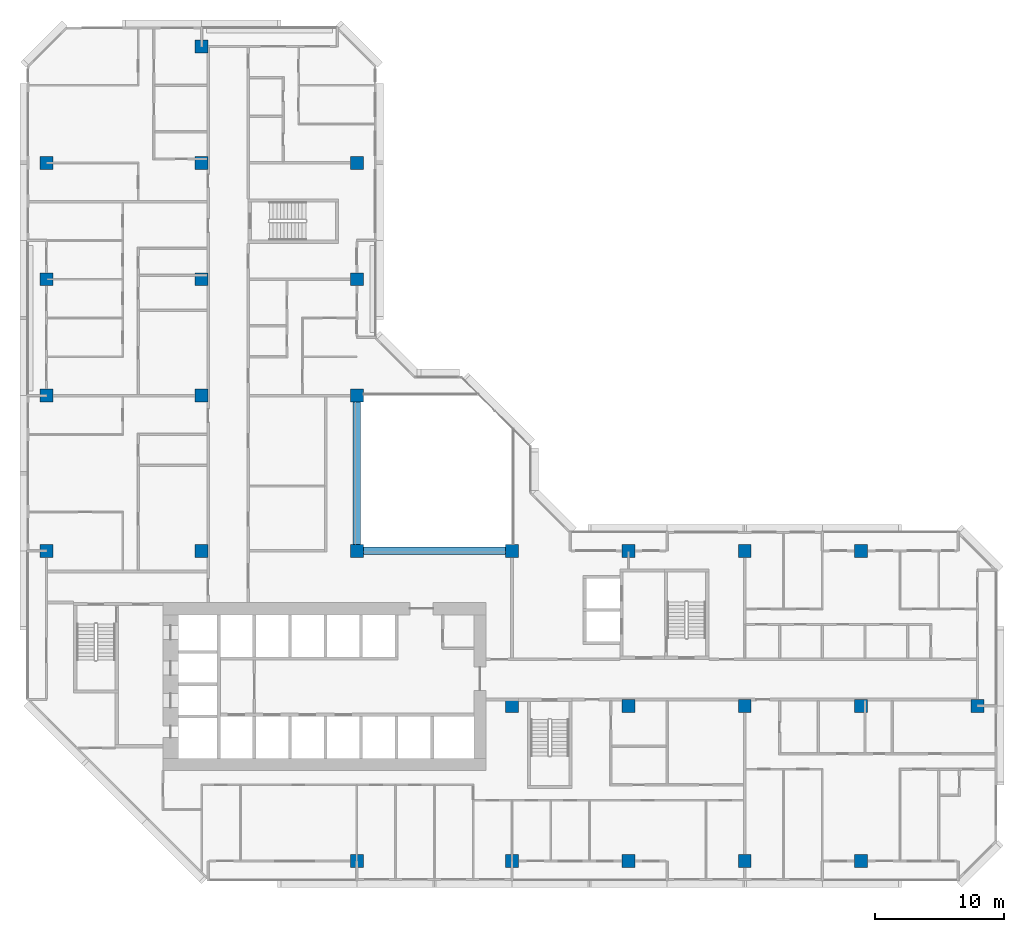
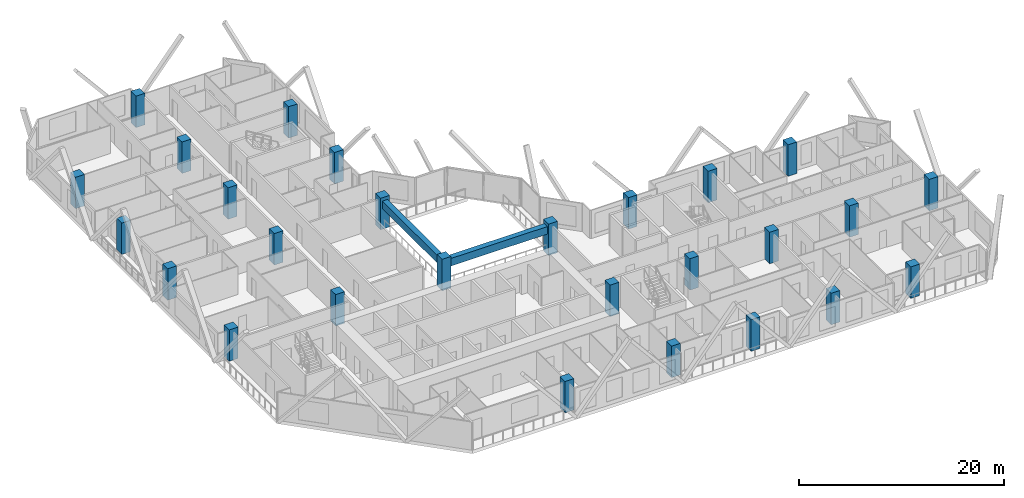
# One storey, part 1 of 16: 27 columns, 2 beams.
"""IFC4 building model written with IfcOpenShell, lengths in metres."""

from ifc_helpers import new_model, si_unit, direction, frame, origin, origin_2d, place, context, subcontext, project, spatial, rectangle, extrude, material, material_profile, profile_set, type_object, element, save


model = new_model("IFC4")

# Units and contexts
model_context = context("Model", 3, precision=1e-05, world=origin(), true_north=direction((0.0, 1.0)))
body_context = subcontext(model_context, "Body", "Model", "MODEL_VIEW")
ifc_project = project(units=[si_unit("LENGTHUNIT", "METRE"), si_unit("AREAUNIT", "SQUARE_METRE"), si_unit("VOLUMEUNIT", "CUBIC_METRE"), si_unit("PLANEANGLEUNIT", "RADIAN"), si_unit("MASSUNIT", "GRAM", prefix="KILO")], contexts=[model_context])

# Site, building, storey
site_placement = place(None, origin())
site = spatial("IfcSite", under=ifc_project, at=site_placement, CompositionType="ELEMENT")
building_placement = place(site_placement, origin())
building = spatial("IfcBuilding", under=site, at=building_placement, Name="Chenar Terraces", CompositionType="ELEMENT")
storey_placement = place(building_placement, frame((0.0, 0.0, 99.39990234375)))
storey = spatial("IfcBuildingStorey", under=building, at=storey_placement, Name="L22", CompositionType="ELEMENT", Elevation=99.39990234375)

# Columns
ifc_material_1 = material(Name="Concrete C70/85", Category="concrete")
ifc_material_profile_1 = material_profile(ifc_material_1, rectangle(XDim=1.0, YDim=1.0, at=origin_2d()), Name="C 1000 x 1000")
ifc_profile_set_1 = profile_set([ifc_material_profile_1], Name="Concrete C70/85")
column_type = type_object("IfcColumnType", Name="Column C 1000 x 1000 Concrete C70/85", PredefinedType="COLUMN", material=ifc_profile_set_1)
column_1_placement = place(storey_placement, frame((0.0, 24.0, 0.0), z_axis=(0.0, 0.0, 1.0), x_axis=(1.0, 0.0, 0.0)))
element("IfcColumn", 1, at=column_1_placement, inside=storey, type_object=column_type, Name="Column 5/G L22", PredefinedType="COLUMN", context=body_context, shape_type="SweptSolid", body=[
    extrude(rectangle(XDim=1.0, YDim=1.0, at=origin_2d()), origin(), (0.0, 0.0, 1.0), 3.75),
])
column_2_placement = place(storey_placement, frame((0.0, 36.0, 0.0), z_axis=(0.0, 0.0, 1.0), x_axis=(1.0, 0.0, 0.0)))
element("IfcColumn", 2, at=column_2_placement, inside=storey, type_object=column_type, Name="Column 5/H L22", PredefinedType="COLUMN", context=body_context, shape_type="SweptSolid", body=[
    extrude(rectangle(XDim=1.0, YDim=1.0, at=origin_2d()), origin(), (0.0, 0.0, 1.0), 3.75),
])
column_3_placement = place(storey_placement, frame((0.0, 45.0, 0.0), z_axis=(0.0, 0.0, 1.0), x_axis=(1.0, 0.0, 0.0)))
element("IfcColumn", 3, at=column_3_placement, inside=storey, type_object=column_type, Name="Column 5/J L22", PredefinedType="COLUMN", context=body_context, shape_type="SweptSolid", body=[
    extrude(rectangle(XDim=1.0, YDim=1.0, at=origin_2d()), origin(), (0.0, 0.0, 1.0), 3.75),
])
column_4_placement = place(storey_placement, frame((0.0, 54.0, 0.0), z_axis=(0.0, 0.0, 1.0), x_axis=(1.0, 0.0, 0.0)))
element("IfcColumn", 4, at=column_4_placement, inside=storey, type_object=column_type, Name="Column 5/K L22", PredefinedType="COLUMN", context=body_context, shape_type="SweptSolid", body=[
    extrude(rectangle(XDim=1.0, YDim=1.0, at=origin_2d()), origin(), (0.0, 0.0, 1.0), 3.75),
])
for number, where, z_axis, x_axis, name in (
    (5, (12.0, 24.0, 0.0), (0.0, 0.0, 1.0), (1.0, 0.0, 0.0), "Column 6/G L22"),
    (6, (12.0, 36.0, 0.0), (0.0, 0.0, 1.0), (1.0, 0.0, 0.0), "Column 6/H L22"),
    (7, (12.0, 45.0, 0.0), (0.0, 0.0, 1.0), (1.0, 0.0, 0.0), "Column 6/J L22"),
    (8, (12.0, 54.0, 0.0), (0.0, 0.0, 1.0), (1.0, 0.0, 0.0), "Column 6/K L22"),
    (9, (12.0, 63.0, 0.0), (0.0, 0.0, 1.0), (1.0, 0.0, 0.0), "Column 6/L L22"),
    (10, (24.0, 0.0, 0.0), (0.0, 0.0, 1.0), (1.0, 0.0, 0.0), "Column 7/E L22"),
    (11, (24.0, 24.0, 0.0), (0.0, 0.0, 1.0), (1.0, 0.0, 0.0), "Column 7/G L22"),
    (12, (24.0, 36.0, 0.0), (0.0, 0.0, 1.0), (1.0, 0.0, 0.0), "Column 7/H L22"),
    (13, (24.0, 45.0, 0.0), (0.0, 0.0, 1.0), (1.0, 0.0, 0.0), "Column 7/J L22"),
    (14, (24.0, 54.0, 0.0), (0.0, 0.0, 1.0), (1.0, 0.0, 0.0), "Column 7/K L22"),
    (15, (36.0, 0.0, 0.0), (0.0, 0.0, 1.0), (1.0, 0.0, 0.0), "Column 8/E L22"),
    (16, (36.0, 12.0, 0.0), (0.0, 0.0, 1.0), (1.0, 0.0, 0.0), "Column 8/F L22"),
    (17, (36.0, 24.0, 0.0), (0.0, 0.0, 1.0), (1.0, 0.0, 0.0), "Column 8/G L22"),
    (18, (45.0, 0.0, 0.0), (0.0, 0.0, 1.0), (1.0, 0.0, 0.0), "Column 9/E L22"),
    (19, (45.0, 12.0, 0.0), (0.0, 0.0, 1.0), (1.0, 0.0, 0.0), "Column 9/F L22"),
    (20, (45.0, 24.0, 0.0), (0.0, 0.0, 1.0), (1.0, 0.0, 0.0), "Column 9/G L22"),
    (21, (54.0, 0.0, 0.0), (0.0, 0.0, 1.0), (1.0, 0.0, 0.0), "Column 10/E L22"),
    (22, (54.0, 12.0, 0.0), (0.0, 0.0, 1.0), (1.0, 0.0, 0.0), "Column 10/F L22"),
    (23, (54.0, 24.0, 0.0), (0.0, 0.0, 1.0), (1.0, 0.0, 0.0), "Column 10/G L22"),
    (24, (63.0, 0.0, 0.0), (0.0, 0.0, 1.0), (1.0, 0.0, 0.0), "Column 11/E L22"),
    (25, (63.0, 12.0, 0.0), (0.0, 0.0, 1.0), (1.0, 0.0, 0.0), "Column 11/F L22"),
    (26, (63.0, 24.0, 0.0), (0.0, 0.0, 1.0), (1.0, 0.0, 0.0), "Column 11/G L22"),
    (27, (72.0, 12.0, 0.0), (0.0, 0.0, 1.0), (1.0, 0.0, 0.0), "Column 12/F L22"),
):
    element("IfcColumn", number, at=place(storey_placement, frame(where, z_axis=z_axis, x_axis=x_axis)), inside=storey, type_object=column_type, Name=name, PredefinedType="COLUMN", context=body_context, shape_type="SweptSolid", body=[
        extrude(rectangle(XDim=1.0, YDim=1.0, at=origin_2d()), origin(), (0.0, 0.0, 1.0), 3.75),
    ])

# Beams
ifc_material_2 = material(Name="Concrete C40/50", Category="concrete")
ifc_material_profile_2 = material_profile(ifc_material_2, rectangle(XDim=0.60009765625, YDim=0.89990234375, at=origin_2d()), Name="RC 600 x 900")
ifc_profile_set_2 = profile_set([ifc_material_profile_2], Name="Concrete C40/50")
beam_type = type_object("IfcBeamType", Name="Atrium edge beam 600 x 900 Concrete C40/50", PredefinedType="BEAM", material=ifc_profile_set_2)
for number, where, z_axis, x_axis, name in (
    (28, (24.5, 24.0, 2.900146484375), (1.0, 0.0, 0.0), (0.0, 1.0, 0.0), "Atrium edge beam L23 1"),
    (29, (24.0, 35.5, 2.900146484375), (0.0, -1.0, 0.0), (1.0, 0.0, 0.0), "Atrium edge beam L23 4"),
):
    element("IfcBeam", number, at=place(storey_placement, frame(where, z_axis=z_axis, x_axis=x_axis)), inside=storey, type_object=beam_type, Name=name, PredefinedType="BEAM", context=body_context, shape_type="SweptSolid", body=[
        extrude(rectangle(XDim=0.60009765625, YDim=0.89990234375, at=origin_2d()), origin(), (0.0, 0.0, 1.0), 11.0),
    ])

save(model, "model.ifc")
